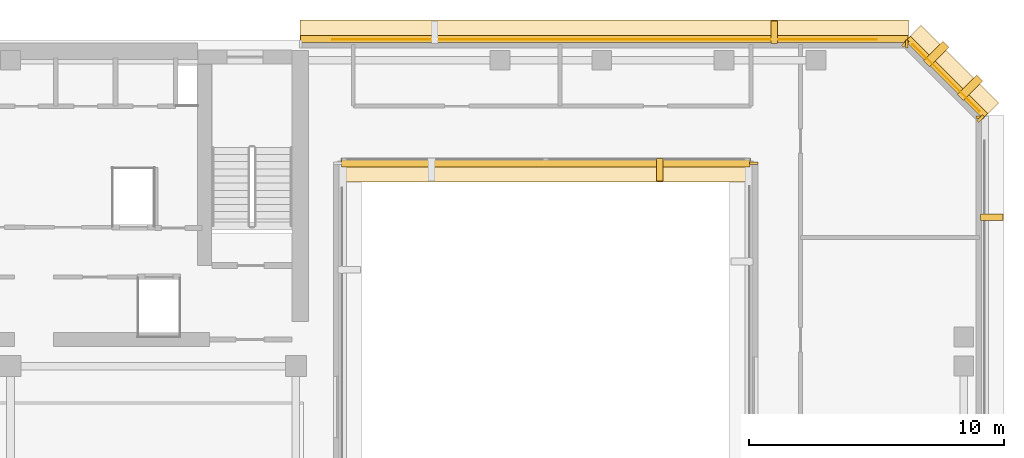
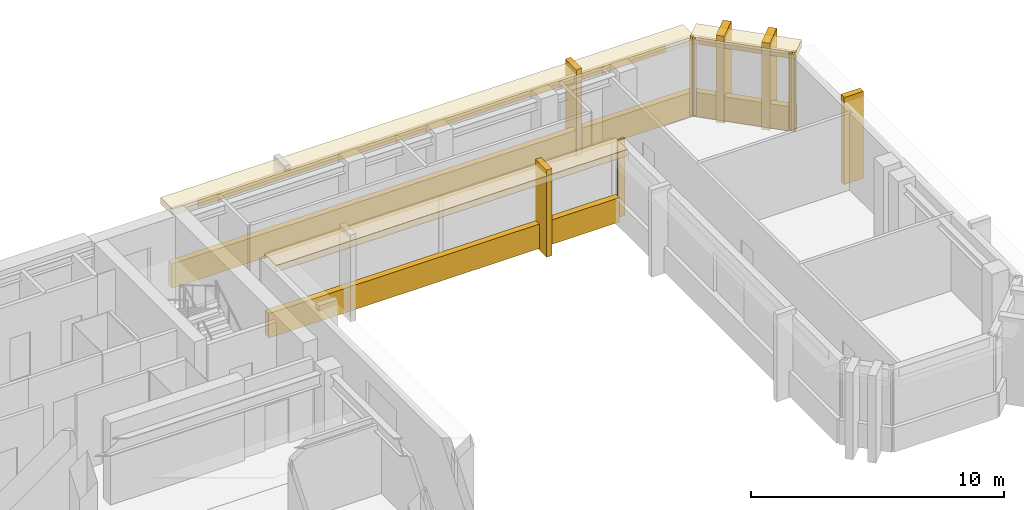
# One storey, part 11 of 11: 18 coverings.
"""IFC4 building model written with IfcOpenShell, lengths in metres."""

from ifc_helpers import new_model, si_unit, direction, frame, origin, origin_2d, place, context, subcontext, project, spatial, rectangle, extrude, material, layer, layer_set, type_object, element, save


model = new_model("IFC4")

# Units and contexts
model_context = context("Model", 3, precision=1e-05, world=origin(), true_north=direction((0.0, 1.0)))
body_context = subcontext(model_context, "Body", "Model", "MODEL_VIEW")
ifc_project = project(units=[si_unit("LENGTHUNIT", "METRE"), si_unit("AREAUNIT", "SQUARE_METRE"), si_unit("VOLUMEUNIT", "CUBIC_METRE"), si_unit("PLANEANGLEUNIT", "RADIAN"), si_unit("MASSUNIT", "GRAM", prefix="KILO")], contexts=[model_context])

# Site, building, storey
site_placement = place(None, origin())
site = spatial("IfcSite", under=ifc_project, at=site_placement, CompositionType="ELEMENT")
building_placement = place(site_placement, origin())
building = spatial("IfcBuilding", under=site, at=building_placement, Name="Kefirva Bronze Tower", CompositionType="ELEMENT")
storey_placement = place(building_placement, frame((0.0, 0.0, 227.699951171875)))
storey = spatial("IfcBuildingStorey", under=building, at=storey_placement, Name="L55", CompositionType="ELEMENT", Elevation=227.699951171875)

# Coverings
ifc_material = material(Name="Bronze anodised aluminium", Category="aluminium")
ifc_layer_1 = layer(ifc_material, 0.02001953125, Name="Bronze anodised aluminium")
ifc_layer_set_1 = layer_set([ifc_layer_1], Name="Bronze anodised aluminium")
covering_type_1 = type_object("IfcCoveringType", Name="Anodised Bronze Spandrel Cladding 20mm", PredefinedType="CLADDING", material=ifc_layer_set_1)
covering_1_placement = place(storey_placement, frame((33.0, 41.159912109375, -0.16015625), z_axis=(0.0, 0.0, 1.0), x_axis=(1.0, 0.0, 0.0)))
element("IfcCovering", 1, at=covering_1_placement, inside=storey, type_object=covering_type_1, Name="L55 Streamline Horizontal Spandrel Band 6", PredefinedType="CLADDING", context=body_context, shape_type="SweptSolid", body=[
    extrude(rectangle(XDim=16.0400390625, YDim=0.280029296875, at=origin_2d()), origin(), (0.0, 0.0, 1.0), 1.179931640625),
])
for number, where, z_axis, x_axis, name in (
    (2, (41.159912109375, 41.1650390625, 0.0), (0.0, 0.0, 1.0), (0.0, -1.0, 0.0), "L55 Facade Joint Closure Panel 5S"),
    (3, (50.0400390625, 42.965087890625, 0.0), (0.0, 0.0, 1.0), (0.0, 1.0, 0.0), "L55 Facade Joint Closure Panel 9E"),
):
    element("IfcCovering", number, at=place(storey_placement, frame(where, z_axis=z_axis, x_axis=x_axis)), inside=storey, type_object=covering_type_1, Name=name, PredefinedType="CLADDING", context=body_context, shape_type="SweptSolid", body=[
        extrude(rectangle(XDim=0.10009765625, YDim=0.320068359375, at=origin_2d()), origin(), (0.0, 0.0, 1.0), 3.7099609375),
    ])
covering_2_placement = place(storey_placement, frame((48.70703125, 44.507080078125, 3.2900390625), z_axis=(0.0, 0.0, 1.0), x_axis=(-0.707106781187, 0.707106781187, 0.0)))
element("IfcCovering", 4, at=covering_2_placement, inside=storey, type_object=covering_type_1, Name="L55 Bronze Spandrel Cladding 10", PredefinedType="CLADDING", context=body_context, shape_type="SweptSolid", body=[
    extrude(rectangle(XDim=3.719482421875, YDim=0.02001953125, at=origin_2d()), origin(), (0.0, 0.0, 1.0), 0.39990234375),
])
for number, where, z_axis, x_axis, name in (
    (5, (50.06201171875, 42.91162109375, 0.0), (0.0, 0.0, 1.0), (-0.707106781187, 0.707106781187, 0.0), "L55 Facade Joint Closure Panel 10S"),
    (6, (47.11181640625, 45.862060546875, 0.0), (0.0, 0.0, 1.0), (-0.707106781187, 0.707106781187, 0.0), "L55 Facade Joint Closure Panel 10E"),
):
    element("IfcCovering", number, at=place(storey_placement, frame(where, z_axis=z_axis, x_axis=x_axis)), inside=storey, type_object=covering_type_1, Name=name, PredefinedType="CLADDING", context=body_context, shape_type="SweptSolid", body=[
        extrude(rectangle(XDim=0.10009765625, YDim=0.320068359375, at=origin_2d()), origin(), (0.0, 0.0, 1.0), 3.7099609375),
    ])
covering_3_placement = place(storey_placement, frame((48.728271484375, 44.5283203125, -0.16015625), z_axis=(0.0, 0.0, 1.0), x_axis=(-0.707106781187, 0.707106781187, 0.0)))
element("IfcCovering", 7, at=covering_3_placement, inside=storey, type_object=covering_type_1, Name="L55 Streamline Horizontal Spandrel Band 12", PredefinedType="CLADDING", context=body_context, shape_type="SweptSolid", body=[
    extrude(rectangle(XDim=4.28271484375, YDim=0.280029296875, at=origin_2d()), origin(), (0.0, 0.0, 1.0), 1.179931640625),
])
covering_4_placement = place(storey_placement, frame((35.302490234375, 46.010009765625, 3.2900390625), z_axis=(0.0, 0.0, 1.0), x_axis=(-1.0, 0.0, 0.0)))
element("IfcCovering", 8, at=covering_4_placement, inside=storey, type_object=covering_type_1, Name="L55 Bronze Spandrel Cladding 11", PredefinedType="CLADDING", context=body_context, shape_type="SweptSolid", body=[
    extrude(rectangle(XDim=21.365966796875, YDim=0.02001953125, at=origin_2d()), origin(), (0.0, 0.0, 1.0), 0.39990234375),
])
covering_5_placement = place(storey_placement, frame((47.1650390625, 45.840087890625, 0.0), z_axis=(0.0, 0.0, 1.0), x_axis=(-1.0, 0.0, 0.0)))
element("IfcCovering", 9, at=covering_5_placement, inside=storey, type_object=covering_type_1, Name="L55 Facade Joint Closure Panel 11S", PredefinedType="CLADDING", context=body_context, shape_type="SweptSolid", body=[
    extrude(rectangle(XDim=0.10009765625, YDim=0.320068359375, at=origin_2d()), origin(), (0.0, 0.0, 1.0), 3.7099609375),
])
covering_6_placement = place(storey_placement, frame((35.302490234375, 46.0400390625, -0.16015625), z_axis=(0.0, 0.0, 1.0), x_axis=(-1.0, 0.0, 0.0)))
element("IfcCovering", 10, at=covering_6_placement, inside=storey, type_object=covering_type_1, Name="L55 Streamline Horizontal Spandrel Band 13", PredefinedType="CLADDING", context=body_context, shape_type="SweptSolid", body=[
    extrude(rectangle(XDim=23.8349609375, YDim=0.280029296875, at=origin_2d()), origin(), (0.0, 0.0, 1.0), 1.179931640625),
])
ifc_layer_2 = layer(ifc_material, 0.179931640625, Name="Bronze anodised aluminium")
ifc_layer_set_2 = layer_set([ifc_layer_2], Name="Bronze anodised aluminium")
covering_type_2 = type_object("IfcCoveringType", Name="Streamline Bronze Sunshade Eyebrow Cladding 180mm", PredefinedType="CLADDING", material=ifc_layer_set_2)
covering_7_placement = place(storey_placement, frame((33.0, 40.889892578125, 3.39013671875), z_axis=(0.0, 0.0, 1.0), x_axis=(1.0, 0.0, 0.0)))
element("IfcCovering", 11, at=covering_7_placement, inside=storey, type_object=covering_type_2, Name="L55 Streamline Bronze Sunshade Eyebrow 6", PredefinedType="CLADDING", context=body_context, shape_type="SweptSolid", body=[
    extrude(rectangle(XDim=16.080078125, YDim=0.93994140625, at=origin_2d()), origin(), (0.0, 0.0, 1.0), 0.320068359375),
])
covering_8_placement = place(storey_placement, frame((48.919189453125, 44.71923828125, 3.39013671875), z_axis=(0.0, 0.0, 1.0), x_axis=(-0.707106781187, 0.707106781187, 0.0)))
element("IfcCovering", 12, at=covering_8_placement, inside=storey, type_object=covering_type_2, Name="L55 Streamline Bronze Sunshade Eyebrow 12", PredefinedType="CLADDING", context=body_context, shape_type="SweptSolid", body=[
    extrude(rectangle(XDim=4.322509765625, YDim=0.93994140625, at=origin_2d()), origin(), (0.0, 0.0, 1.0), 0.320068359375),
])
covering_9_placement = place(storey_placement, frame((35.302490234375, 46.31005859375, 3.39013671875), z_axis=(0.0, 0.0, 1.0), x_axis=(-1.0, 0.0, 0.0)))
element("IfcCovering", 13, at=covering_9_placement, inside=storey, type_object=covering_type_2, Name="L55 Streamline Bronze Sunshade Eyebrow 13", PredefinedType="CLADDING", context=body_context, shape_type="SweptSolid", body=[
    extrude(rectangle(XDim=23.875, YDim=0.93994140625, at=origin_2d()), origin(), (0.0, 0.0, 1.0), 0.320068359375),
])
ifc_layer_3 = layer(ifc_material, 0.260009765625, Name="Bronze anodised aluminium")
ifc_layer_set_3 = layer_set([ifc_layer_3], Name="Bronze anodised aluminium")
covering_type_3 = type_object("IfcCoveringType", Name="Unbroken Bronze Buttress Fin Cladding 260mm", PredefinedType="CLADDING", material=ifc_layer_set_3)
for number, where, z_axis, x_axis, name in (
    (14, (37.47998046875, 40.89990234375, -0.25), (0.0, 0.0, 1.0), (1.0, 0.0, 0.0), "L55 Unbroken Vertical Bronze Rib Fin 12"),
    (15, (50.5, 39.0400390625, -0.25), (0.0, 0.0, 1.0), (0.0, 1.0, 0.0), "L55 Unbroken Vertical Bronze Rib Fin 20"),
):
    element("IfcCovering", number, at=place(storey_placement, frame(where, z_axis=z_axis, x_axis=x_axis)), inside=storey, type_object=covering_type_3, Name=name, PredefinedType="CLADDING", context=body_context, shape_type="SweptSolid", body=[
        extrude(rectangle(XDim=0.260009765625, YDim=0.8798828125, at=origin_2d()), origin(), (0.0, 0.0, 1.0), 4.2099609375),
    ])
for number, where, z_axis, x_axis, name in (
    (16, (49.642822265625, 44.122802734375, -0.25), (0.0, 0.0, 1.0), (-0.707106781187, 0.707106781187, 0.0), "L55 Chamfered Corner Buttress Fin Cladding 21"),
    (17, (48.32275390625, 45.44287109375, -0.25), (0.0, 0.0, 1.0), (-0.707106781187, 0.707106781187, 0.0), "L55 Chamfered Corner Buttress Fin Cladding 22"),
):
    element("IfcCovering", number, at=place(storey_placement, frame(where, z_axis=z_axis, x_axis=x_axis)), inside=storey, type_object=covering_type_3, Name=name, PredefinedType="CLADDING", context=body_context, shape_type="SweptSolid", body=[
        extrude(rectangle(XDim=0.340087890625, YDim=1.080078125, at=origin_2d()), origin(), (0.0, 0.0, 1.0), 4.2099609375),
    ])
covering_10_placement = place(storey_placement, frame((41.965087890625, 46.300048828125, -0.25), z_axis=(0.0, 0.0, 1.0), x_axis=(-1.0, 0.0, 0.0)))
element("IfcCovering", 18, at=covering_10_placement, inside=storey, type_object=covering_type_3, Name="L55 Unbroken Vertical Bronze Rib Fin 23", PredefinedType="CLADDING", context=body_context, shape_type="SweptSolid", body=[
    extrude(rectangle(XDim=0.260009765625, YDim=0.8798828125, at=origin_2d()), origin(), (0.0, 0.0, 1.0), 4.2099609375),
])

save(model, "model.ifc")
